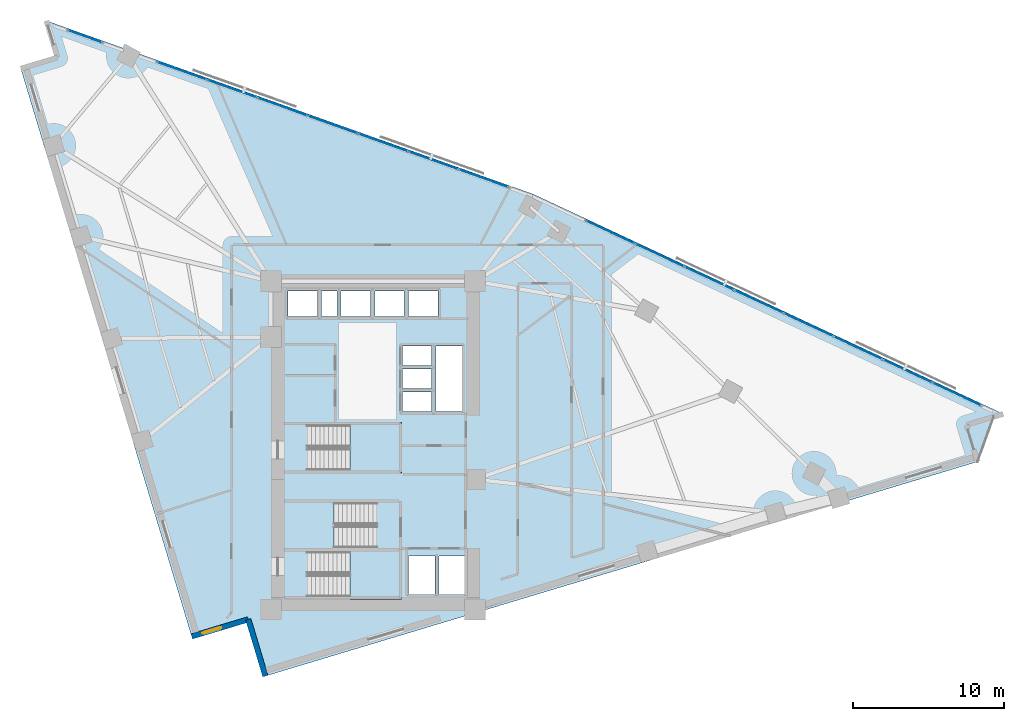
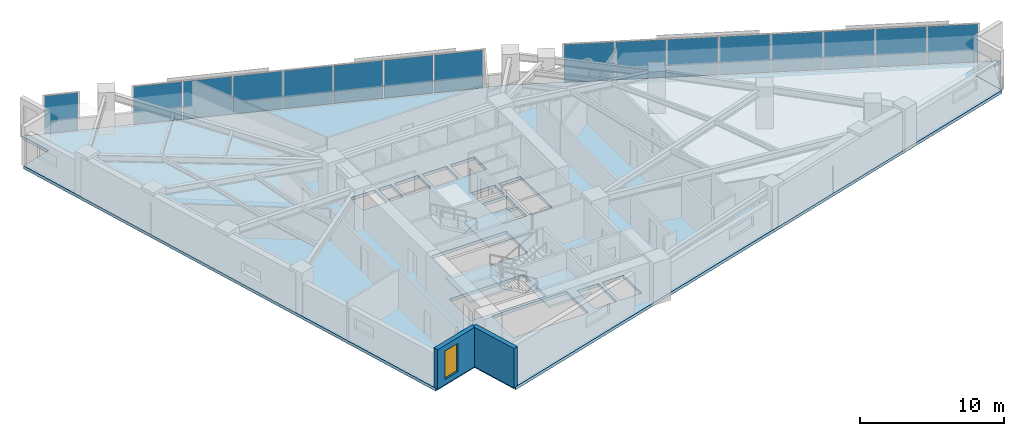
# One storey, part 9 of 14: 16 plates, 5 slabs, 2 walls, 1 window, 1 opening, 6 elements without a shape of their own.
"""IFC4 building model written with IfcOpenShell, lengths in metres."""

from ifc_helpers import new_model, si_unit, direction, frame, frame_2d, origin, origin_2d, place, context, subcontext, project, spatial, polyline, rectangle, outline, extrude, material, layer, layer_set, type_object, element, fill, aggregate, save


model = new_model("IFC4")

# Units and contexts
model_context = context("Model", 3, precision=1e-05, world=origin(), true_north=direction((0.0, 1.0)))
body_context = subcontext(model_context, "Body", "Model", "MODEL_VIEW")
ifc_project = project(units=[si_unit("LENGTHUNIT", "METRE"), si_unit("AREAUNIT", "SQUARE_METRE"), si_unit("VOLUMEUNIT", "CUBIC_METRE"), si_unit("PLANEANGLEUNIT", "RADIAN"), si_unit("MASSUNIT", "GRAM", prefix="KILO")], contexts=[model_context])

# Site, building, storey
site_placement = place(None, origin())
site = spatial("IfcSite", under=ifc_project, at=site_placement, CompositionType="ELEMENT")
building_placement = place(site_placement, origin())
building = spatial("IfcBuilding", under=site, at=building_placement, Name="Narakoshi Arena Tower", CompositionType="ELEMENT")
storey_placement = place(building_placement, frame((0.0, 0.0, 135.89990234375)))
storey = spatial("IfcBuildingStorey", under=building, at=storey_placement, Name="L36", CompositionType="ELEMENT", Elevation=135.89990234375)

# Curtain wall, plates
ifc_material_1 = material(Name="Anodised bronze aluminium 6063-T6", Category="aluminium")
curtain_wall_type = type_object("IfcCurtainWallType", Name="CW-HYP-MID", PredefinedType="NOTDEFINED", material=ifc_material_1)
curtain_wall_1_placement = place(storey_placement, origin())
curtain_wall_1 = element("IfcCurtainWall", 1, at=curtain_wall_1_placement, inside=storey, type_object=curtain_wall_type, Name="L36 Folded Hypotenuse Curtain Wall 1-1", PredefinedType="NOTDEFINED")
ifc_material_2 = material(Name="Bronze-tinted low-E laminated glass", Category="glass")
ifc_layer_1 = layer(ifc_material_2, 0.0380859375)
ifc_layer_set_1 = layer_set([ifc_layer_1], Name="Bronze-tinted low-E laminated glass")
plate_type = type_object("IfcPlateType", Name="PLT-GLZ-38", PredefinedType="CURTAIN_PANEL", material=ifc_layer_set_1)
plate_1_placement = place(storey_placement, frame((117.545166015625, 49.0, 0.065185546875), z_axis=(0.0, 0.0, 1.0), x_axis=(-0.905881273009, 0.423531721612, 0.0)))
plate_1 = element("IfcPlate", 2, at=plate_1_placement, type_object=plate_type, Name="CW-02 panel 1.1", PredefinedType="CURTAIN_PANEL", context=body_context, shape_type="SweptSolid", body=[
    extrude(rectangle(XDim=3.52099609375, YDim=0.0380859375, at=origin_2d()), origin(), (0.0, 0.0, 1.0), 3.2099609375),
])
plate_2_placement = place(storey_placement, frame((114.270751953125, 50.531005859375, 0.065185546875), z_axis=(0.0, 0.0, 1.0), x_axis=(-0.905881273009, 0.423531721612, 0.0)))
plate_2 = element("IfcPlate", 3, at=plate_2_placement, type_object=plate_type, Name="CW-02 panel 2.1", PredefinedType="CURTAIN_PANEL", context=body_context, shape_type="SweptSolid", body=[
    extrude(rectangle(XDim=3.558349609375, YDim=0.0380859375, at=origin_2d()), origin(), (0.0, 0.0, 1.0), 3.2099609375),
])
plate_3_placement = place(storey_placement, frame((110.979248046875, 52.06982421875, 0.065185546875), z_axis=(0.0, 0.0, 1.0), x_axis=(-0.905881273009, 0.423531721612, 0.0)))
plate_3 = element("IfcPlate", 4, at=plate_3_placement, type_object=plate_type, Name="CW-02 panel 3.1", PredefinedType="CURTAIN_PANEL", context=body_context, shape_type="SweptSolid", body=[
    extrude(rectangle(XDim=3.558349609375, YDim=0.0380859375, at=origin_2d()), origin(), (0.0, 0.0, 1.0), 3.2099609375),
])
plate_4_placement = place(storey_placement, frame((107.687744140625, 53.60888671875, 0.065185546875), z_axis=(0.0, 0.0, 1.0), x_axis=(-0.905881273009, 0.423531721612, 0.0)))
plate_4 = element("IfcPlate", 5, at=plate_4_placement, type_object=plate_type, Name="CW-02 panel 4.1", PredefinedType="CURTAIN_PANEL", context=body_context, shape_type="SweptSolid", body=[
    extrude(rectangle(XDim=3.558349609375, YDim=0.0380859375, at=origin_2d()), origin(), (0.0, 0.0, 1.0), 3.2099609375),
])
plate_5_placement = place(storey_placement, frame((104.396240234375, 55.147705078125, 0.065185546875), z_axis=(0.0, 0.0, 1.0), x_axis=(-0.905881273009, 0.423531721612, 0.0)))
plate_5 = element("IfcPlate", 6, at=plate_5_placement, type_object=plate_type, Name="CW-02 panel 5.1", PredefinedType="CURTAIN_PANEL", context=body_context, shape_type="SweptSolid", body=[
    extrude(rectangle(XDim=3.558349609375, YDim=0.0380859375, at=origin_2d()), origin(), (0.0, 0.0, 1.0), 3.2099609375),
])
plate_6_placement = place(storey_placement, frame((101.104736328125, 56.6865234375, 0.065185546875), z_axis=(0.0, 0.0, 1.0), x_axis=(-0.905881273009, 0.423531721612, 0.0)))
plate_6 = element("IfcPlate", 7, at=plate_6_placement, type_object=plate_type, Name="CW-02 panel 6.1", PredefinedType="CURTAIN_PANEL", context=body_context, shape_type="SweptSolid", body=[
    extrude(rectangle(XDim=3.558349609375, YDim=0.0380859375, at=origin_2d()), origin(), (0.0, 0.0, 1.0), 3.2099609375),
])
plate_7_placement = place(storey_placement, frame((97.813232421875, 58.2255859375, 0.065185546875), z_axis=(0.0, 0.0, 1.0), x_axis=(-0.905881273009, 0.423531721612, 0.0)))
plate_7 = element("IfcPlate", 8, at=plate_7_placement, type_object=plate_type, Name="CW-02 panel 7.1", PredefinedType="CURTAIN_PANEL", context=body_context, shape_type="SweptSolid", body=[
    extrude(rectangle(XDim=3.558349609375, YDim=0.0380859375, at=origin_2d()), origin(), (0.0, 0.0, 1.0), 3.2099609375),
])
plate_8_placement = place(storey_placement, frame((94.538818359375, 59.75634765625, 0.065185546875), z_axis=(0.0, 0.0, 1.0), x_axis=(-0.905881273009, 0.423531721612, 0.0)))
plate_8 = element("IfcPlate", 9, at=plate_8_placement, type_object=plate_type, Name="CW-02 panel 8.1", PredefinedType="CURTAIN_PANEL", context=body_context, shape_type="SweptSolid", body=[
    extrude(rectangle(XDim=3.52099609375, YDim=0.0380859375, at=origin_2d()), origin(), (0.0, 0.0, 1.0), 3.2099609375),
])
aggregate(curtain_wall_1, [plate_1, plate_2, plate_3, plate_4, plate_5, plate_6, plate_7, plate_8])

curtain_wall_2_placement = place(storey_placement, origin())
curtain_wall_2 = element("IfcCurtainWall", 10, at=curtain_wall_2_placement, inside=storey, type_object=curtain_wall_type, Name="L36 Folded Hypotenuse Curtain Wall 2-1", PredefinedType="NOTDEFINED")
plate_9_placement = place(storey_placement, frame((86.125244140625, 63.327880859375, 0.065185546875), z_axis=(0.0, 0.0, 1.0), x_axis=(-0.94203368957, 0.335518297139, 0.0)))
plate_9 = element("IfcPlate", 11, at=plate_9_placement, type_object=plate_type, Name="CW-02 panel 1.1", PredefinedType="CURTAIN_PANEL", context=body_context, shape_type="SweptSolid", body=[
    extrude(rectangle(XDim=3.437744140625, YDim=0.0380859375, at=origin_2d()), origin(), (0.0, 0.0, 1.0), 3.2099609375),
])
plate_10_placement = place(storey_placement, frame((82.79833984375, 64.512939453125, 0.065185546875), z_axis=(0.0, 0.0, 1.0), x_axis=(-0.94203368957, 0.335518297139, 0.0)))
plate_10 = element("IfcPlate", 12, at=plate_10_placement, type_object=plate_type, Name="CW-02 panel 2.1", PredefinedType="CURTAIN_PANEL", context=body_context, shape_type="SweptSolid", body=[
    extrude(rectangle(XDim=3.475341796875, YDim=0.0380859375, at=origin_2d()), origin(), (0.0, 0.0, 1.0), 3.2099609375),
])
plate_11_placement = place(storey_placement, frame((79.453857421875, 65.7041015625, 0.065185546875), z_axis=(0.0, 0.0, 1.0), x_axis=(-0.94203368957, 0.335518297139, 0.0)))
plate_11 = element("IfcPlate", 13, at=plate_11_placement, type_object=plate_type, Name="CW-02 panel 3.1", PredefinedType="CURTAIN_PANEL", context=body_context, shape_type="SweptSolid", body=[
    extrude(rectangle(XDim=3.475341796875, YDim=0.0380859375, at=origin_2d()), origin(), (0.0, 0.0, 1.0), 3.2099609375),
])
plate_12_placement = place(storey_placement, frame((76.109130859375, 66.895263671875, 0.065185546875), z_axis=(0.0, 0.0, 1.0), x_axis=(-0.94203368957, 0.335518297139, 0.0)))
plate_12 = element("IfcPlate", 14, at=plate_12_placement, type_object=plate_type, Name="CW-02 panel 4.1", PredefinedType="CURTAIN_PANEL", context=body_context, shape_type="SweptSolid", body=[
    extrude(rectangle(XDim=3.475341796875, YDim=0.0380859375, at=origin_2d()), origin(), (0.0, 0.0, 1.0), 3.2099609375),
])
plate_13_placement = place(storey_placement, frame((72.7646484375, 68.08642578125, 0.065185546875), z_axis=(0.0, 0.0, 1.0), x_axis=(-0.94203368957, 0.335518297139, 0.0)))
plate_13 = element("IfcPlate", 15, at=plate_13_placement, type_object=plate_type, Name="CW-02 panel 5.1", PredefinedType="CURTAIN_PANEL", context=body_context, shape_type="SweptSolid", body=[
    extrude(rectangle(XDim=3.475341796875, YDim=0.0380859375, at=origin_2d()), origin(), (0.0, 0.0, 1.0), 3.2099609375),
])
plate_14_placement = place(storey_placement, frame((69.420166015625, 69.277587890625, 0.065185546875), z_axis=(0.0, 0.0, 1.0), x_axis=(-0.94203368957, 0.335518297139, 0.0)))
plate_14 = element("IfcPlate", 16, at=plate_14_placement, type_object=plate_type, Name="CW-02 panel 6.1", PredefinedType="CURTAIN_PANEL", context=body_context, shape_type="SweptSolid", body=[
    extrude(rectangle(XDim=3.475341796875, YDim=0.0380859375, at=origin_2d()), origin(), (0.0, 0.0, 1.0), 3.2099609375),
])
plate_15_placement = place(storey_placement, frame((66.09326171875, 70.462646484375, 0.065185546875), z_axis=(0.0, 0.0, 1.0), x_axis=(-0.94203368957, 0.335518297139, 0.0)))
plate_15 = element("IfcPlate", 17, at=plate_15_placement, type_object=plate_type, Name="CW-02 panel 7.1", PredefinedType="CURTAIN_PANEL", context=body_context, shape_type="SweptSolid", body=[
    extrude(rectangle(XDim=3.437744140625, YDim=0.0380859375, at=origin_2d()), origin(), (0.0, 0.0, 1.0), 3.2099609375),
])
aggregate(curtain_wall_2, [plate_9, plate_10, plate_11, plate_12, plate_13, plate_14, plate_15])

# Curtain wall, plate
curtain_wall_3_placement = place(storey_placement, origin())
curtain_wall_3 = element("IfcCurtainWall", 18, at=curtain_wall_3_placement, inside=storey, type_object=curtain_wall_type, Name="L36 Folded Hypotenuse Curtain Wall 2-2", PredefinedType="NOTDEFINED")
plate_16_placement = place(storey_placement, frame((59.671142578125, 72.75, 0.065185546875), z_axis=(0.0, 0.0, 1.0), x_axis=(-0.942025293591, 0.335541869571, 0.0)))
plate_16 = element("IfcPlate", 19, at=plate_16_placement, type_object=plate_type, Name="CW-02 panel 1.1", PredefinedType="CURTAIN_PANEL", context=body_context, shape_type="SweptSolid", body=[
    extrude(rectangle(XDim=2.3779296875, YDim=0.0380859375, at=origin_2d()), origin(), (0.0, 0.0, 1.0), 3.2099609375),
])
aggregate(curtain_wall_3, [plate_16])

# Stair, slab
ifc_material_3 = material(Name="Concrete C45/55", Category="concrete")
stair_type = type_object("IfcStairType", Name="STR-CORE-360", PredefinedType="TWO_STRAIGHT_RUN_STAIR", material=ifc_material_3)
stair_1_placement = place(storey_placement, origin())
stair_1 = element("IfcStair", 20, at=stair_1_placement, inside=storey, type_object=stair_type, Name="L36 Core Escape Stair ST1", PredefinedType="TWO_STRAIGHT_RUN_STAIR")
ifc_layer_2 = layer(ifc_material_3, 0.18994140625)
ifc_layer_set_2 = layer_set([ifc_layer_2], Name="Concrete C45/55")
slab_type_1 = type_object("IfcSlabType", Name="SLB-LND-190", PredefinedType="LANDING", material=ifc_layer_set_2)
slab_1_placement = place(storey_placement, frame((0.0, 0.0, 1.610107421875)))
slab_1 = element("IfcSlab", 21, at=slab_1_placement, type_object=slab_type_1, Name="ST1 landing 1", PredefinedType="LANDING", context=body_context, shape_type="SweptSolid", body=[
    extrude(outline(polyline([(77.25, 35.3701171875), (80.679931640625, 35.3701171875), (80.679931640625, 38.72998046875), (77.25, 38.72998046875), (77.25, 35.3701171875)])), origin(), (0.0, 0.0, 1.0), 0.18994140625),
])
aggregate(stair_1, [slab_1])

stair_2_placement = place(storey_placement, origin())
stair_2 = element("IfcStair", 22, at=stair_2_placement, inside=storey, type_object=stair_type, Name="L36 Core Escape Stair ST2", PredefinedType="TWO_STRAIGHT_RUN_STAIR")
slab_2_placement = place(storey_placement, frame((0.0, 0.0, 1.610107421875)))
slab_2 = element("IfcSlab", 23, at=slab_2_placement, type_object=slab_type_1, Name="ST2 landing 1", PredefinedType="LANDING", context=body_context, shape_type="SweptSolid", body=[
    extrude(outline(polyline([(72.77001953125, 38.6201171875), (76.199951171875, 38.6201171875), (76.199951171875, 41.97998046875), (72.77001953125, 41.97998046875), (72.77001953125, 38.6201171875)])), origin(), (0.0, 0.0, 1.0), 0.18994140625),
])
aggregate(stair_2, [slab_2])

stair_3_placement = place(storey_placement, origin())
stair_3 = element("IfcStair", 24, at=stair_3_placement, inside=storey, type_object=stair_type, Name="L36 Core Escape Stair ST3", PredefinedType="TWO_STRAIGHT_RUN_STAIR")
slab_3_placement = place(storey_placement, frame((0.0, 0.0, 1.610107421875)))
slab_3 = element("IfcSlab", 25, at=slab_3_placement, type_object=slab_type_1, Name="ST3 landing 1", PredefinedType="LANDING", context=body_context, shape_type="SweptSolid", body=[
    extrude(outline(polyline([(77.25, 43.77001953125), (80.679931640625, 43.77001953125), (80.679931640625, 47.1298828125), (77.25, 47.1298828125), (77.25, 43.77001953125)])), origin(), (0.0, 0.0, 1.0), 0.18994140625),
])
aggregate(stair_3, [slab_3])

# Slabs
ifc_material_4 = material(Name="Concrete C50/60", Category="concrete")
ifc_layer_3 = layer(ifc_material_4, 0.260009765625)
ifc_layer_set_3 = layer_set([ifc_layer_3], Name="Concrete C50/60")
slab_type_2 = type_object("IfcSlabType", Name="SLB-SKY-260", PredefinedType="FLOOR", material=ifc_layer_set_3)
slab_4_placement = place(storey_placement, frame((0.0, 0.0, -0.260009765625)))
element("IfcSlab", 26, at=slab_4_placement, inside=storey, type_object=slab_type_2, Name="L36 Structural Floor Slab", PredefinedType="FLOOR", context=body_context, shape_type="SweptSolid", body=[
    extrude(outline(polyline([(71.635498046875, 30.28857421875), (118.908935546875, 44.51611328125), (118.17333984375, 46.96044921875), (120.61767578125, 47.696044921875), (89.422119140625, 62.281005859375), (57.107666015625, 73.790283203125), (57.84326171875, 71.34619140625), (55.39892578125, 70.610595703125), (66.743408203125, 32.917236328125), (70.50390625, 34.048828125), (71.635498046875, 30.28857421875)]), holes=[polyline([(80.5, 35.550048828125), (74.47998046875, 35.550048828125), (74.47998046875, 38.550048828125), (80.5, 38.550048828125), (80.5, 35.550048828125)]), polyline([(82.89990234375, 35.75), (81.14990234375, 35.75), (81.14990234375, 38.25), (82.89990234375, 38.25), (82.89990234375, 35.75)]), polyline([(83.14990234375, 35.75), (83.14990234375, 38.25), (84.89990234375, 38.25), (84.89990234375, 35.75), (83.14990234375, 35.75)]), polyline([(72.949951171875, 38.800048828125), (72.949951171875, 41.800048828125), (78.969970703125, 41.800048828125), (78.969970703125, 38.800048828125), (72.949951171875, 38.800048828125)]), polyline([(74.47998046875, 43.949951171875), (74.47998046875, 46.949951171875), (80.5, 46.949951171875), (80.5, 43.949951171875), (74.47998046875, 43.949951171875)]), polyline([(82.949951171875, 47.840087890625), (82.949951171875, 52.199951171875), (84.699951171875, 52.199951171875), (84.699951171875, 47.840087890625), (82.949951171875, 47.840087890625)]), polyline([(80.75, 47.85009765625), (80.75, 49.14990234375), (82.64990234375, 49.14990234375), (82.64990234375, 47.85009765625), (80.75, 47.85009765625)]), polyline([(80.75, 49.3701171875), (80.75, 50.669921875), (82.64990234375, 50.669921875), (82.64990234375, 49.3701171875), (80.75, 49.3701171875)]), polyline([(80.75, 50.889892578125), (80.75, 52.18994140625), (82.64990234375, 52.18994140625), (82.64990234375, 50.889892578125), (80.75, 50.889892578125)]), polyline([(73.14990234375, 54.14990234375), (73.14990234375, 55.85009765625), (75.10009765625, 55.85009765625), (75.10009765625, 54.14990234375), (73.14990234375, 54.14990234375)]), polyline([(75.35009765625, 54.14990234375), (75.35009765625, 55.85009765625), (76.39990234375, 55.85009765625), (76.39990234375, 54.14990234375), (75.35009765625, 54.14990234375)]), polyline([(76.64990234375, 54.14990234375), (76.64990234375, 55.85009765625), (78.60009765625, 55.85009765625), (78.60009765625, 54.14990234375), (76.64990234375, 54.14990234375)]), polyline([(78.89990234375, 54.14990234375), (78.89990234375, 55.85009765625), (80.85009765625, 55.85009765625), (80.85009765625, 54.14990234375), (78.89990234375, 54.14990234375)]), polyline([(81.14990234375, 54.14990234375), (81.14990234375, 55.85009765625), (83.10009765625, 55.85009765625), (83.10009765625, 54.14990234375), (81.14990234375, 54.14990234375)])]), origin(), (0.0, 0.0, 1.0), 0.260009765625),
])
ifc_layer_4 = layer(ifc_material_3, 0.239990234375)
ifc_layer_set_4 = layer_set([ifc_layer_4], Name="Concrete C45/55")
slab_type_3 = type_object("IfcSlabType", Name="SLB-TERR-240", PredefinedType="ROOF", material=ifc_layer_set_4)
slab_5_placement = place(storey_placement, frame((0.0, 0.0, -0.239990234375)))
element("IfcSlab", 27, at=slab_5_placement, inside=storey, type_object=slab_type_3, Name="L36 Corner Notch Loggia Balcony Slab", PredefinedType="ROOF", context=body_context, shape_type="SweptSolid", body=[
    extrude(outline(polyline([(119.98095703125, 47.5029296875), (118.176025390625, 46.958984375), (118.909912109375, 44.51904296875), (119.98095703125, 47.5029296875)])), origin(), (0.0, 0.0, 1.0), 0.239990234375),
])

# Wall, opening, window
ifc_material_5 = material(Name="Precast concrete C45/55", Category="concrete")
ifc_layer_5 = layer(ifc_material_5, 0.419921875)
ifc_layer_set_5 = layer_set([ifc_layer_5], Name="Precast concrete C45/55")
wall_type = type_object("IfcWallType", Name="WL-POD-420", PredefinedType="SOLIDWALL", material=ifc_layer_set_5)
wall_1_placement = place(storey_placement, frame((66.743408203125, 32.917236328125, 0.0), z_axis=(0.0, 0.0, 1.0), x_axis=(0.957584687378, 0.288151985068, 0.0)))
wall_1 = element("IfcWall", 28, at=wall_1_placement, inside=storey, type_object=wall_type, Name="L36 Re-Entrant Corner Notch Wall NTA-1", PredefinedType="SOLIDWALL", context=body_context, shape_type="SweptSolid", body=[
    extrude(rectangle(XDim=3.927001953125, YDim=0.360107421875, at=frame_2d((1.96337890625, 0.0))), origin(), (0.0, 0.0, 1.0), 3.340087890625),
])
opening_placement = place(wall_1_placement, frame((0.74560546875, 0.0, 0.449951171875)))
opening = element("IfcOpeningElement", 29, at=opening_placement, cuts=wall_1, Name="Opening WN-06", PredefinedType="OPENING", context=body_context, shape_type="SweptSolid", body=[
    extrude(rectangle(XDim=1.300048828125, YDim=2.39990234375, at=frame_2d((0.64990234375, 1.199951171875))), frame((0.0, 0.18994140625, 0.0), z_axis=(0.0, -1.0, 0.0), x_axis=(1.0, 0.0, 0.0)), (0.0, 0.0, 1.0), 0.380126953125),
])
window_type = type_object("IfcWindowType", Name="WIN-NTC-16x24", PartitioningType="SINGLE_PANEL", PredefinedType="WINDOW", material=ifc_material_2)
window_placement = place(opening_placement, origin())
window = element("IfcWindow", 30, at=window_placement, inside=storey, type_object=window_type, Name="L36 Corner Notch Window NTA", OverallHeight=2.39990234375, OverallWidth=1.300048828125, PartitioningType="SINGLE_PANEL", PredefinedType="WINDOW", context=body_context, shape_type="SweptSolid", body=[
    extrude(rectangle(XDim=1.300048828125, YDim=2.39990234375, at=frame_2d((0.64990234375, 1.199951171875))), frame((0.0, 0.030029296875, 0.0), z_axis=(0.0, -1.0, 0.0), x_axis=(1.0, 0.0, 0.0)), (0.0, 0.0, 1.0), 0.06005859375),
])
fill(opening, window)

# Wall
wall_2_placement = place(storey_placement, frame((70.50390625, 34.048828125, 0.0), z_axis=(0.0, 0.0, 1.0), x_axis=(0.288169140251, -0.957579524952, 0.0)))
element("IfcWall", 31, at=wall_2_placement, inside=storey, type_object=wall_type, Name="L36 Re-Entrant Corner Notch Wall NTA-2", PredefinedType="SOLIDWALL", context=body_context, shape_type="SweptSolid", body=[
    extrude(rectangle(XDim=3.9267578125, YDim=0.360107421875, at=frame_2d((1.96337890625, 0.0))), origin(), (0.0, 0.0, 1.0), 3.340087890625),
])

save(model, "model.ifc")
